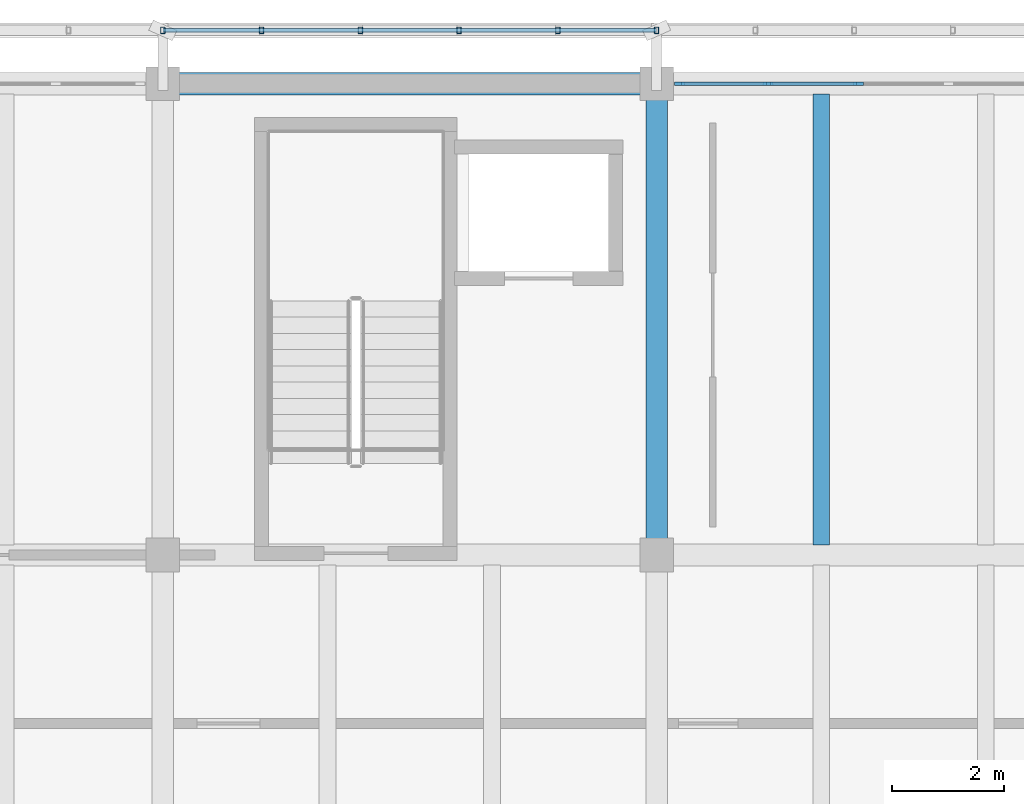
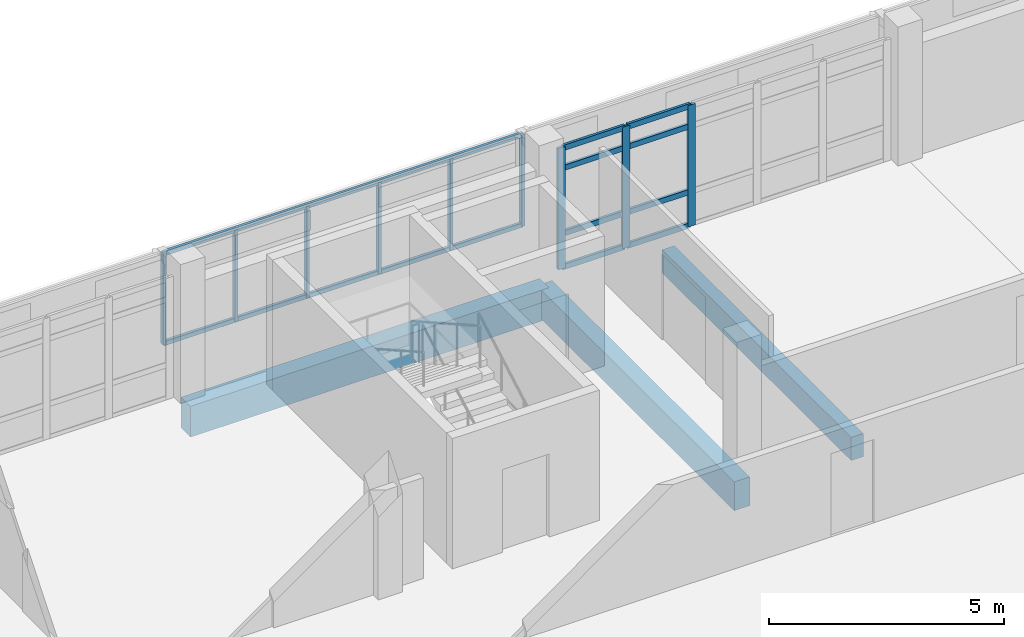
# One storey, part 23 of 50: 19 members, 3 beams, 1 element without a shape of its own.
"""IFC4 building model written with IfcOpenShell, lengths in metres."""

import ifcopenshell
import ifcopenshell.guid

model = None  # the IFC model being written
_history = None  # IfcOwnerHistory: only IFC2X3 demands one
_inside = {}  # id of a spatial element -> (the spatial element, [elements in it])
_under = {}  # id of a project, library or spatial element -> (it, [spatial elements below it])
_declared = {}  # id of a project -> (the project, [libraries it declares])
_typed = {}  # id of a type object -> (the type object, [elements of that type])
_made_of = {}  # id of a material, layer set ... -> (it, [elements and type objects made of it])


def new_model(schema):
    """Start an empty IFC model of exactly this schema.

    Asked for "IFC4X3", IfcOpenShell would pick the latest addendum, in which some entities
    have other attributes; the version numbers below select the first issue.
    IFC2X3 requires an IfcOwnerHistory on every rooted entity: one is made here for all.
    """
    global model, _history
    if schema == "IFC4X3":
        model = ifcopenshell.file(schema_version=(4, 3, 0, 0))
    else:
        model = ifcopenshell.file(schema=schema)
    _inside.clear()
    _under.clear()
    _declared.clear()
    _typed.clear()
    _made_of.clear()
    _history = None
    if model.schema == "IFC2X3":
        org = make("IfcOrganization", Name="unknown")
        user = make(
            "IfcPersonAndOrganization",
            ThePerson=make("IfcPerson", FamilyName="unknown"),
            TheOrganization=org,
        )
        app = make(
            "IfcApplication",
            ApplicationDeveloper=org,
            Version="unknown",
            ApplicationFullName="unknown",
            ApplicationIdentifier="unknown",
        )
        _history = make(
            "IfcOwnerHistory",
            OwningUser=user,
            OwningApplication=app,
            ChangeAction="ADDED",
            CreationDate=0,
        )
    return model


def make(cls, **values):
    """One entity of the class cls with the attributes given. An attribute that is None is left unset."""
    return model.create_entity(
        cls, **{name: value for name, value in values.items() if value is not None}
    )


def rooted(cls, **values):
    """An entity with a GlobalId (a new one), such as an element, a storey or a relation."""
    return make(cls, GlobalId=ifcopenshell.guid.new(), OwnerHistory=_history, **values)


def si_unit(unit_type, name, prefix=None):
    """IfcSIUnit, for example si_unit("LENGTHUNIT", "METRE", prefix="MILLI")."""
    return make("IfcSIUnit", UnitType=unit_type, Prefix=prefix, Name=name)


def assignment(units):
    """IfcUnitAssignment: the units of a project."""
    return None if units is None else make("IfcUnitAssignment", Units=units)


def point(xyz):
    """IfcCartesianPoint."""
    return None if xyz is None else make("IfcCartesianPoint", Coordinates=xyz)


def direction(xyz):
    """IfcDirection."""
    return None if xyz is None else make("IfcDirection", DirectionRatios=xyz)


def frame(location, z_axis=None, x_axis=None):
    """IfcAxis2Placement3D, a coordinate frame: its origin and axes. An axis left out is left unset."""
    return make(
        "IfcAxis2Placement3D",
        Location=point(location),
        Axis=direction(z_axis),
        RefDirection=direction(x_axis),
    )


def frame_2d(location, x_axis=None):
    """IfcAxis2Placement2D, a coordinate frame in the plane: its origin and x axis."""
    return make(
        "IfcAxis2Placement2D", Location=point(location), RefDirection=direction(x_axis)
    )


def origin():
    """The frame at (0, 0, 0) with its axes left unset."""
    return frame((0.0, 0.0, 0.0))


def origin_2d():
    """The frame at (0, 0) in the plane with its x axis left unset."""
    return frame_2d((0.0, 0.0))


def place(relative_to, where):
    """IfcLocalPlacement: puts the frame where relative to a parent placement (None: the world)."""
    return make(
        "IfcLocalPlacement", PlacementRelTo=relative_to, RelativePlacement=where
    )


def context(
    kind, dimensions, precision=None, world=None, true_north=None, identifier=None
):
    """IfcGeometricRepresentationContext, for example the 3D "Model" context."""
    return make(
        "IfcGeometricRepresentationContext",
        ContextIdentifier=identifier,
        ContextType=kind,
        CoordinateSpaceDimension=dimensions,
        Precision=precision,
        WorldCoordinateSystem=world,
        TrueNorth=true_north,
    )


def subcontext(parent, identifier, kind, view, scale=None):
    """IfcGeometricRepresentationSubContext, for example "Body" below "Model"."""
    return make(
        "IfcGeometricRepresentationSubContext",
        ContextIdentifier=identifier,
        ContextType=kind,
        ParentContext=parent,
        TargetScale=scale,
        TargetView=view,
    )


def project(units=None, contexts=None):
    """IfcProject with its units and contexts."""
    return rooted(
        "IfcProject",
        Name="project",
        RepresentationContexts=contexts,
        UnitsInContext=assignment(units),
    )


def spatial(cls, under=None, at=None, **own):
    """A site, building, storey or space (cls), placed at a placement, below another one or the project."""
    s = rooted(cls, ObjectPlacement=at, **own)
    if under is not None:
        _under.setdefault(under.id(), (under, []))[1].append(s)
    return s


def profile(cls, at=None, kind="AREA", **sizes):
    """A parametric profile (cls). Its sizes go by their IFC names, for example OverallWidth=200.0."""
    return make(cls, ProfileType=kind, Position=at, **sizes)


def rectangle(**sizes):
    """IfcRectangleProfileDef."""
    return profile("IfcRectangleProfileDef", **sizes)


def hollow_rectangle(**sizes):
    """IfcRectangleHollowProfileDef."""
    return profile("IfcRectangleHollowProfileDef", **sizes)


def extrude(swept, where, along, depth):
    """IfcExtrudedAreaSolid: the profile swept, set in the frame where, extruded along a direction by depth."""
    return make(
        "IfcExtrudedAreaSolid",
        SweptArea=swept,
        Position=where,
        ExtrudedDirection=direction(along),
        Depth=depth,
    )


def shape(context_of_items, identifier, shape_type, items):
    """IfcShapeRepresentation: the items that make up one representation, for example the "Body"."""
    return make(
        "IfcShapeRepresentation",
        ContextOfItems=context_of_items,
        RepresentationIdentifier=identifier,
        RepresentationType=shape_type,
        Items=items,
    )


def material(Name=None, Category=None):
    """IfcMaterial."""
    return make("IfcMaterial", Name=Name, Category=Category)


def material_profile(
    of_material, cross_section, Name=None, Category=None, Priority=None
):
    """IfcMaterialProfile: a cross section and its material."""
    return make(
        "IfcMaterialProfile",
        Name=Name,
        Material=of_material,
        Profile=cross_section,
        Priority=Priority,
        Category=Category,
    )


def profile_set(profiles, Name=None, composite=None):
    """IfcMaterialProfileSet."""
    return make(
        "IfcMaterialProfileSet",
        Name=Name,
        MaterialProfiles=profiles,
        CompositeProfile=composite,
    )


def made_of(thing, what):
    """Note that an element or type object is made of a material, layer set ...; save() writes the relation."""
    if what is not None:
        _made_of.setdefault(what.id(), (what, []))[1].append(thing)
    return thing


def type_object(cls, material=None, **own):
    """A type object (cls), such as IfcWallType, which elements share."""
    return made_of(rooted(cls, **own), material)


def element(
    cls,
    number,
    at=None,
    inside=None,
    cuts=None,
    type_object=None,
    material=None,
    context=None,
    identifier="Body",
    shape_type=None,
    held_by="IfcProductDefinitionShape",
    body=None,
    shapes=None,
    **own,
):
    """One element of the class cls, such as IfcWall. Its Tag is "e" and its number.

    at: its placement. inside: the storey or other place that contains it. cuts: it is an
    opening in that element (IfcRelVoidsElement). A single representation is given by context,
    identifier, shape_type and body (its items); several are given by shapes. held_by: the class
    of the entity that holds the representations. save() writes the other relations.
    """
    e = rooted(cls, Tag="e%d" % number, ObjectPlacement=at, **own)
    if body is not None:
        shapes = [shape(context, identifier, shape_type, body)]
    if shapes is not None:
        e.Representation = make(held_by, Representations=shapes)
    if inside is not None:
        _inside.setdefault(inside.id(), (inside, []))[1].append(e)
    if cuts is not None:
        rooted(
            "IfcRelVoidsElement", RelatingBuildingElement=cuts, RelatedOpeningElement=e
        )
    if type_object is not None:
        _typed.setdefault(type_object.id(), (type_object, []))[1].append(e)
    return made_of(e, material)


def aggregate(whole, parts):
    """IfcRelAggregates: a whole, such as a stair, and the parts it consists of."""
    return rooted("IfcRelAggregates", RelatingObject=whole, RelatedObjects=parts)


def save(model, path):
    """Write the relations noted so far, then the file.

    IfcRelAggregates (storeys below a building ...), IfcRelContainedInSpatialStructure (elements
    in a storey), IfcRelDefinesByType, IfcRelAssociatesMaterial and IfcRelDeclares: one each for
    every whole, place, type object, material and project.
    """
    for whole, parts in _under.values():
        aggregate(whole, parts)
    for where, things in _inside.values():
        rooted(
            "IfcRelContainedInSpatialStructure",
            RelatedElements=things,
            RelatingStructure=where,
        )
    for kind, things in _typed.values():
        rooted("IfcRelDefinesByType", RelatedObjects=things, RelatingType=kind)
    for what, things in _made_of.values():
        rooted("IfcRelAssociatesMaterial", RelatedObjects=things, RelatingMaterial=what)
    for by, libraries in _declared.values():
        rooted("IfcRelDeclares", RelatingContext=by, RelatedDefinitions=libraries)
    model.write(path)


model = new_model("IFC4")

# Units and contexts
model_context = context("Model", 3, precision=1e-05, world=origin(), true_north=direction((0.0, 1.0)))
body_context = subcontext(model_context, "Body", "Model", "MODEL_VIEW")
ifc_project = project(units=[si_unit("LENGTHUNIT", "METRE"), si_unit("AREAUNIT", "SQUARE_METRE"), si_unit("VOLUMEUNIT", "CUBIC_METRE"), si_unit("PLANEANGLEUNIT", "RADIAN"), si_unit("MASSUNIT", "GRAM", prefix="KILO")], contexts=[model_context])

# Site, building, storey
site_placement = place(None, origin())
site = spatial("IfcSite", under=ifc_project, at=site_placement, CompositionType="ELEMENT")
building_placement = place(site_placement, origin())
building = spatial("IfcBuilding", under=site, at=building_placement, Name="Cinderway Yard Community Centre", CompositionType="ELEMENT")
storey_placement = place(building_placement, frame((0.0, 0.0, 12.89990234375)))
storey = spatial("IfcBuildingStorey", under=building, at=storey_placement, Name="L03", CompositionType="ELEMENT", Elevation=12.89990234375)

# Curtain wall, members
ifc_material_1 = material(Name="Aluminium 6063-T6", Category="aluminium")
curtain_wall_type = type_object("IfcCurtainWallType", Name="ENV-CW-TYPE-33", PredefinedType="USERDEFINED", material=ifc_material_1)
curtain_wall_placement = place(storey_placement, origin())
curtain_wall = element("IfcCurtainWall", 1, at=curtain_wall_placement, inside=storey, type_object=curtain_wall_type, Name="V4 Street Curtain Wall ENV-CW-L03-HS-0166", ObjectType="GLAZED CURTAIN WALL", PredefinedType="USERDEFINED")
ifc_material_profile_1 = material_profile(ifc_material_1, rectangle(XDim=0.06494140625, YDim=0.179931640625, at=origin_2d()), Name="Aluminium 6063-T6")
ifc_profile_set_1 = profile_set([ifc_material_profile_1], Name="Aluminium 6063-T6")
member_type_1 = type_object("IfcMemberType", Name="ENV-CW-MULL-180", PredefinedType="MULLION", material=ifc_profile_set_1)
member_1_placement = place(storey_placement, frame((84.409912109375, 115.199951171875, 0.0), z_axis=(0.0, 0.0, 1.0), x_axis=(0.0, 1.0, 0.0)))
member_1 = element("IfcMember", 2, at=member_1_placement, type_object=member_type_1, Name="CW-33 mullion 1", PredefinedType="MULLION", context=body_context, shape_type="SweptSolid", body=[
    extrude(rectangle(XDim=0.06494140625, YDim=0.179931640625, at=origin_2d()), origin(), (0.0, 0.0, 1.0), 3.150146484375),
])
member_2_placement = place(storey_placement, frame((85.988037109375, 115.199951171875, 0.0), z_axis=(0.0, 0.0, 1.0), x_axis=(0.0, 1.0, 0.0)))
member_2 = element("IfcMember", 3, at=member_2_placement, type_object=member_type_1, Name="CW-33 mullion 2", PredefinedType="MULLION", context=body_context, shape_type="SweptSolid", body=[
    extrude(rectangle(XDim=0.06494140625, YDim=0.179931640625, at=origin_2d()), origin(), (0.0, 0.0, 1.0), 3.150146484375),
])
member_3_placement = place(storey_placement, frame((87.595947265625, 115.199951171875, 0.0), z_axis=(0.0, 0.0, 1.0), x_axis=(0.0, 1.0, 0.0)))
member_3 = element("IfcMember", 4, at=member_3_placement, type_object=member_type_1, Name="CW-33 mullion 3", PredefinedType="MULLION", context=body_context, shape_type="SweptSolid", body=[
    extrude(rectangle(XDim=0.06494140625, YDim=0.179931640625, at=origin_2d()), origin(), (0.0, 0.0, 1.0), 3.150146484375),
])
ifc_material_profile_2 = material_profile(ifc_material_1, rectangle(XDim=0.06494140625, YDim=0.139892578125, at=origin_2d()), Name="Aluminium 6063-T6")
ifc_profile_set_2 = profile_set([ifc_material_profile_2], Name="Aluminium 6063-T6")
member_type_2 = type_object("IfcMemberType", Name="ENV-CW-TRAN-140", PredefinedType="USERDEFINED", material=ifc_profile_set_2)
member_4_placement = place(storey_placement, frame((84.43994140625, 115.199951171875, 0.030029296875), z_axis=(1.0, 0.0, 0.0), x_axis=(0.0, 1.0, 0.0)))
member_4 = element("IfcMember", 5, at=member_4_placement, type_object=member_type_2, Name="CW-33 transom 1.1", ObjectType="TRANSOM", PredefinedType="USERDEFINED", context=body_context, shape_type="SweptSolid", body=[
    extrude(rectangle(XDim=0.06494140625, YDim=0.139892578125, at=origin_2d()), origin(), (0.0, 0.0, 1.0), 1.51806640625),
])
member_5_placement = place(storey_placement, frame((84.43994140625, 115.199951171875, 0.900146484375), z_axis=(1.0, 0.0, 0.0), x_axis=(0.0, 1.0, 0.0)))
member_5 = element("IfcMember", 6, at=member_5_placement, type_object=member_type_2, Name="CW-33 transom 1.2", ObjectType="TRANSOM", PredefinedType="USERDEFINED", context=body_context, shape_type="SweptSolid", body=[
    extrude(rectangle(XDim=0.06494140625, YDim=0.139892578125, at=origin_2d()), origin(), (0.0, 0.0, 1.0), 1.51806640625),
])
member_6_placement = place(storey_placement, frame((84.43994140625, 115.199951171875, 2.60009765625), z_axis=(1.0, 0.0, 0.0), x_axis=(0.0, 1.0, 0.0)))
member_6 = element("IfcMember", 7, at=member_6_placement, type_object=member_type_2, Name="CW-33 transom 1.3", ObjectType="TRANSOM", PredefinedType="USERDEFINED", context=body_context, shape_type="SweptSolid", body=[
    extrude(rectangle(XDim=0.06494140625, YDim=0.139892578125, at=origin_2d()), origin(), (0.0, 0.0, 1.0), 1.51806640625),
])
member_7_placement = place(storey_placement, frame((84.43994140625, 115.199951171875, 3.1201171875), z_axis=(1.0, 0.0, 0.0), x_axis=(0.0, 1.0, 0.0)))
member_7 = element("IfcMember", 8, at=member_7_placement, type_object=member_type_2, Name="CW-33 transom 1.4", ObjectType="TRANSOM", PredefinedType="USERDEFINED", context=body_context, shape_type="SweptSolid", body=[
    extrude(rectangle(XDim=0.06494140625, YDim=0.139892578125, at=origin_2d()), origin(), (0.0, 0.0, 1.0), 1.51806640625),
])
member_8_placement = place(storey_placement, frame((86.01806640625, 115.199951171875, 0.030029296875), z_axis=(1.0, 0.0, 0.0), x_axis=(0.0, 1.0, 0.0)))
member_8 = element("IfcMember", 9, at=member_8_placement, type_object=member_type_2, Name="CW-33 transom 2.1", ObjectType="TRANSOM", PredefinedType="USERDEFINED", context=body_context, shape_type="SweptSolid", body=[
    extrude(rectangle(XDim=0.06494140625, YDim=0.139892578125, at=origin_2d()), origin(), (0.0, 0.0, 1.0), 1.5478515625),
])
member_9_placement = place(storey_placement, frame((86.01806640625, 115.199951171875, 0.900146484375), z_axis=(1.0, 0.0, 0.0), x_axis=(0.0, 1.0, 0.0)))
member_9 = element("IfcMember", 10, at=member_9_placement, type_object=member_type_2, Name="CW-33 transom 2.2", ObjectType="TRANSOM", PredefinedType="USERDEFINED", context=body_context, shape_type="SweptSolid", body=[
    extrude(rectangle(XDim=0.06494140625, YDim=0.139892578125, at=origin_2d()), origin(), (0.0, 0.0, 1.0), 1.5478515625),
])
member_10_placement = place(storey_placement, frame((86.01806640625, 115.199951171875, 2.60009765625), z_axis=(1.0, 0.0, 0.0), x_axis=(0.0, 1.0, 0.0)))
member_10 = element("IfcMember", 11, at=member_10_placement, type_object=member_type_2, Name="CW-33 transom 2.3", ObjectType="TRANSOM", PredefinedType="USERDEFINED", context=body_context, shape_type="SweptSolid", body=[
    extrude(rectangle(XDim=0.06494140625, YDim=0.139892578125, at=origin_2d()), origin(), (0.0, 0.0, 1.0), 1.5478515625),
])
member_11_placement = place(storey_placement, frame((86.01806640625, 115.199951171875, 3.1201171875), z_axis=(1.0, 0.0, 0.0), x_axis=(0.0, 1.0, 0.0)))
member_11 = element("IfcMember", 12, at=member_11_placement, type_object=member_type_2, Name="CW-33 transom 2.4", ObjectType="TRANSOM", PredefinedType="USERDEFINED", context=body_context, shape_type="SweptSolid", body=[
    extrude(rectangle(XDim=0.06494140625, YDim=0.139892578125, at=origin_2d()), origin(), (0.0, 0.0, 1.0), 1.5478515625),
])
aggregate(curtain_wall, [member_1, member_2, member_3, member_4, member_5, member_6, member_7, member_8, member_9, member_10, member_11])

# Members
ifc_material_2 = material(Name="Steel S355", Category="steel")
ifc_material_profile_3 = material_profile(ifc_material_2, hollow_rectangle(XDim=0.080078125, YDim=0.1201171875, WallThickness=0.00634765625, InnerFilletRadius=0.00634765625, OuterFilletRadius=0.0126953125, at=origin_2d()), Name="Steel S355")
ifc_profile_set_3 = profile_set([ifc_material_profile_3], Name="Steel S355")
member_type_3 = type_object("IfcMemberType", Name="ENV-MEM-SCREEN-RAIL-120", PredefinedType="STRINGER", material=ifc_profile_set_3)
member_12_placement = place(storey_placement, frame((75.199951171875, 116.14990234375, 0.690185546875), z_axis=(0.0, 0.0, 1.0), x_axis=(1.0, 0.0, 0.0)))
element("IfcMember", 13, at=member_12_placement, inside=storey, type_object=member_type_3, Name="Screen vertical mullion 0210", PredefinedType="STRINGER", context=body_context, shape_type="SweptSolid", body=[
    extrude(hollow_rectangle(XDim=0.080078125, YDim=0.1201171875, WallThickness=0.00634765625, InnerFilletRadius=0.00634765625, OuterFilletRadius=0.0126953125, at=origin_2d()), origin(), (0.0, 0.0, 1.0), 2.369873046875),
])
for number, where, z_axis, x_axis, name in (
    (14, (75.199951171875, 116.14990234375, 0.710205078125), (1.0, 0.0, 0.0), (0.0, 1.0, 0.0), "Screen support rail 0212-BOT"),
    (15, (75.199951171875, 116.14990234375, 3.0400390625), (1.0, 0.0, 0.0), (0.0, 1.0, 0.0), "Screen support rail 0213-TOP"),
):
    element("IfcMember", number, at=place(storey_placement, frame(where, z_axis=z_axis, x_axis=x_axis)), inside=storey, type_object=member_type_3, Name=name, PredefinedType="STRINGER", context=body_context, shape_type="SweptSolid", body=[
        extrude(hollow_rectangle(XDim=0.080078125, YDim=0.1201171875, WallThickness=0.00634765625, InnerFilletRadius=0.00634765625, OuterFilletRadius=0.0126953125, at=origin_2d()), origin(), (0.0, 0.0, 1.0), 8.800048828125),
    ])
for number, where, z_axis, x_axis, name in (
    (16, (76.9599609375, 116.14990234375, 0.690185546875), (0.0, 0.0, 1.0), (1.0, 0.0, 0.0), "Screen vertical mullion 0214"),
    (17, (78.719970703125, 116.14990234375, 0.690185546875), (0.0, 0.0, 1.0), (1.0, 0.0, 0.0), "Screen vertical mullion 0215"),
    (18, (80.47998046875, 116.14990234375, 0.690185546875), (0.0, 0.0, 1.0), (1.0, 0.0, 0.0), "Screen vertical mullion 0216"),
    (19, (82.239990234375, 116.14990234375, 0.690185546875), (0.0, 0.0, 1.0), (1.0, 0.0, 0.0), "Screen vertical mullion 0217"),
    (20, (84.0, 116.14990234375, 0.690185546875), (0.0, 0.0, 1.0), (1.0, 0.0, 0.0), "Screen vertical mullion 0218"),
):
    element("IfcMember", number, at=place(storey_placement, frame(where, z_axis=z_axis, x_axis=x_axis)), inside=storey, type_object=member_type_3, Name=name, PredefinedType="STRINGER", context=body_context, shape_type="SweptSolid", body=[
        extrude(hollow_rectangle(XDim=0.080078125, YDim=0.1201171875, WallThickness=0.00634765625, InnerFilletRadius=0.00634765625, OuterFilletRadius=0.0126953125, at=origin_2d()), origin(), (0.0, 0.0, 1.0), 2.369873046875),
    ])

# Beams
ifc_material_3 = material(Name="Concrete C35/45", Category="concrete")
ifc_material_profile_4 = material_profile(ifc_material_3, rectangle(XDim=0.300048828125, YDim=0.60009765625, at=origin_2d()), Name="Concrete C35/45")
ifc_profile_set_4 = profile_set([ifc_material_profile_4], Name="Concrete C35/45")
beam_type_1 = type_object("IfcBeamType", Name="STR-BM-RC300X600", PredefinedType="JOIST", material=ifc_profile_set_4)
beam_1_placement = place(storey_placement, frame((86.93310546875, 106.98193359375, -0.539794921875), z_axis=(0.0, 1.0, 0.0), x_axis=(-1.0, 0.0, 0.0)))
element("IfcBeam", 21, at=beam_1_placement, inside=storey, type_object=beam_type_1, Name="Secondary joist STR-BM-L03-BJ02-0780", PredefinedType="JOIST", context=body_context, shape_type="SweptSolid", body=[
    extrude(rectangle(XDim=0.300048828125, YDim=0.60009765625, at=origin_2d()), origin(), (0.0, 0.0, 1.0), 8.0361328125),
])
ifc_material_profile_5 = material_profile(ifc_material_3, rectangle(XDim=0.3798828125, YDim=0.75, at=origin_2d()), Name="Concrete C35/45")
ifc_profile_set_5 = profile_set([ifc_material_profile_5], Name="Concrete C35/45")
beam_type_2 = type_object("IfcBeamType", Name="STR-BM-RC380X750", PredefinedType="BEAM", material=ifc_profile_set_5)
beam_2_placement = place(storey_placement, frame((84.0, 106.800048828125, -0.614990234375), z_axis=(0.0, 1.0, 0.0), x_axis=(-1.0, 0.0, 0.0)))
element("IfcBeam", 22, at=beam_2_placement, inside=storey, type_object=beam_type_2, Name="Transverse girder STR-BM-L03-BG06-0731", PredefinedType="BEAM", context=body_context, shape_type="SweptSolid", body=[
    extrude(rectangle(XDim=0.3798828125, YDim=0.75, at=origin_2d()), origin(), (0.0, 0.0, 1.0), 8.39990234375),
])
ifc_material_4 = material(Name="Concrete C40/50", Category="concrete")
ifc_material_profile_6 = material_profile(ifc_material_4, rectangle(XDim=0.39990234375, YDim=0.800048828125, at=origin_2d()), Name="Concrete C40/50")
ifc_profile_set_6 = profile_set([ifc_material_profile_6], Name="Concrete C40/50")
beam_type_3 = type_object("IfcBeamType", Name="STR-BM-RC400X800", PredefinedType="BEAM", material=ifc_profile_set_6)
beam_3_placement = place(storey_placement, frame((75.199951171875, 115.199951171875, -0.639892578125), z_axis=(1.0, 0.0, 0.0), x_axis=(0.0, 1.0, 0.0)))
element("IfcBeam", 23, at=beam_3_placement, inside=storey, type_object=beam_type_3, Name="Primary girder STR-BM-L03-BG05-0707", PredefinedType="BEAM", context=body_context, shape_type="SweptSolid", body=[
    extrude(rectangle(XDim=0.39990234375, YDim=0.800048828125, at=origin_2d()), origin(), (0.0, 0.0, 1.0), 8.800048828125),
])

save(model, "model.ifc")
